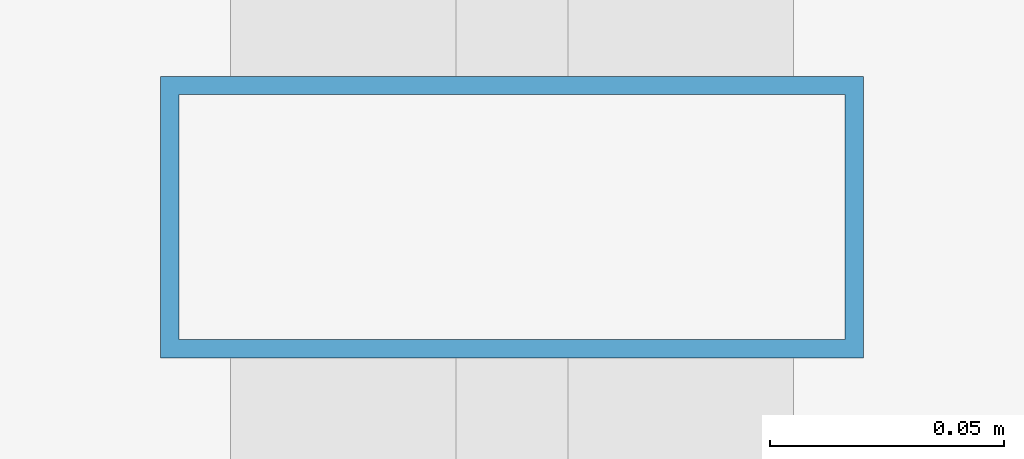
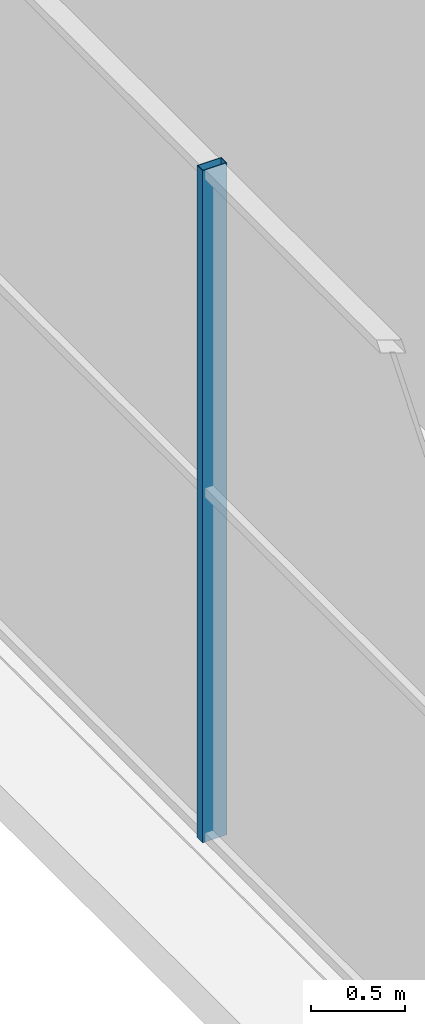
# One storey, part 13 of 27: 1 member, 1 element without a shape of its own.
"""IFC4 building model written with IfcOpenShell, lengths in metres."""

from ifc_helpers import new_model, si_unit, direction, frame, origin, origin_2d, place, context, subcontext, project, spatial, hollow_rectangle, extrude, source, transform, mapped, material, layer, layer_set, material_profile, profile_set, type_object, element, aggregate, save


model = new_model("IFC4")

# Units and contexts
model_context = context("Model", 3, precision=1e-05, world=origin(), true_north=direction((0.0, 1.0)))
body_context = subcontext(model_context, "Body", "Model", "MODEL_VIEW")
ifc_project = project(units=[si_unit("LENGTHUNIT", "METRE"), si_unit("AREAUNIT", "SQUARE_METRE"), si_unit("VOLUMEUNIT", "CUBIC_METRE"), si_unit("PLANEANGLEUNIT", "RADIAN"), si_unit("MASSUNIT", "GRAM", prefix="KILO")], contexts=[model_context])

# Site, building, storey
site_placement = place(None, origin())
site = spatial("IfcSite", under=ifc_project, at=site_placement, CompositionType="ELEMENT")
building_placement = place(site_placement, origin())
building = spatial("IfcBuilding", under=site, at=building_placement, Name="Zarnakvel Exchange Tower", CompositionType="ELEMENT")
storey_placement = place(building_placement, frame((0.0, 0.0, 294.60009765625)))
storey = spatial("IfcBuildingStorey", under=building, at=storey_placement, Name="Crown L82", CompositionType="ELEMENT", Elevation=294.60009765625)

# Curtain wall, member
ifc_material = material(Name="Architectural Bronze Anodised Aluminium", Category="aluminium")
ifc_layer = layer(ifc_material, 0.14990234375)
ifc_layer_set = layer_set([ifc_layer], Name="Architectural Bronze Anodised Aluminium")
curtain_wall_type = type_object("IfcCurtainWallType", Name="CW-07", PredefinedType="NOTDEFINED", material=ifc_layer_set)
curtain_wall_placement = place(storey_placement, origin())
curtain_wall = element("IfcCurtainWall", 1, at=curtain_wall_placement, inside=storey, type_object=curtain_wall_type, Name="Crown L82 Curtain Wall CW-Crown L82-W (CW-07)", PredefinedType="NOTDEFINED")
ifc_material_profile = material_profile(ifc_material, hollow_rectangle(XDim=0.14990234375, YDim=0.06005859375, WallThickness=0.00390625, at=origin_2d()))
ifc_profile_set = profile_set([ifc_material_profile], Name="Architectural Bronze Anodised Aluminium")
member_type = type_object("IfcMemberType", Name="CWM-07", PredefinedType="MULLION", material=ifc_profile_set)
shared_shape = source(origin(), body_context, "Body", "SweptSolid", [
    extrude(hollow_rectangle(XDim=0.14990234375, YDim=0.06005859375, WallThickness=0.00390625, at=origin_2d()), origin(), (0.0, 0.0, 1.0), 4.35986328125),
])
member_placement = place(storey_placement, frame((-17.56005859375, 6.27490234375, 0.0), z_axis=(0.0, 0.0, 1.0), x_axis=(-1.0, 0.0, 0.0)))
member = element("IfcMember", 2, at=member_placement, type_object=member_type, Name="CW-07 mullion 4", PredefinedType="MULLION", context=body_context, shape_type="MappedRepresentation", body=[
    mapped(shared_shape, transform((0.0, 0.0, 0.0), x_axis=(1.0, 0.0, 0.0), y_axis=(0.0, 1.0, 0.0), z_axis=(0.0, 0.0, 1.0), scale=1.0)),
])
aggregate(curtain_wall, [member])

save(model, "model.ifc")
